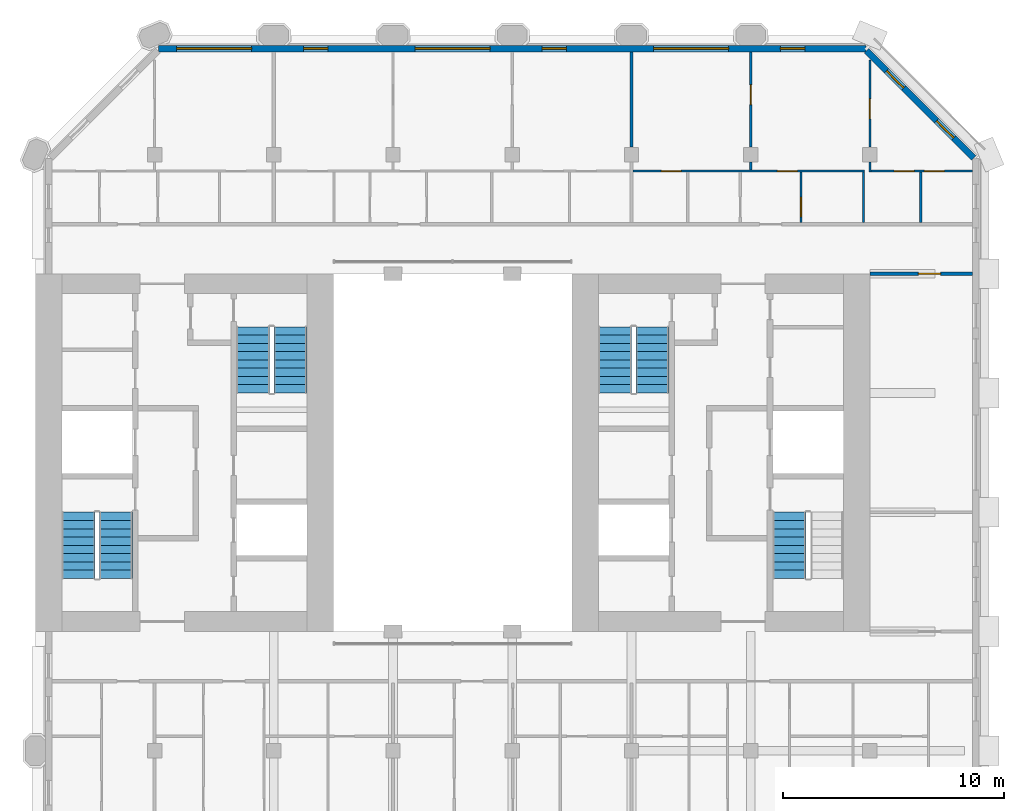
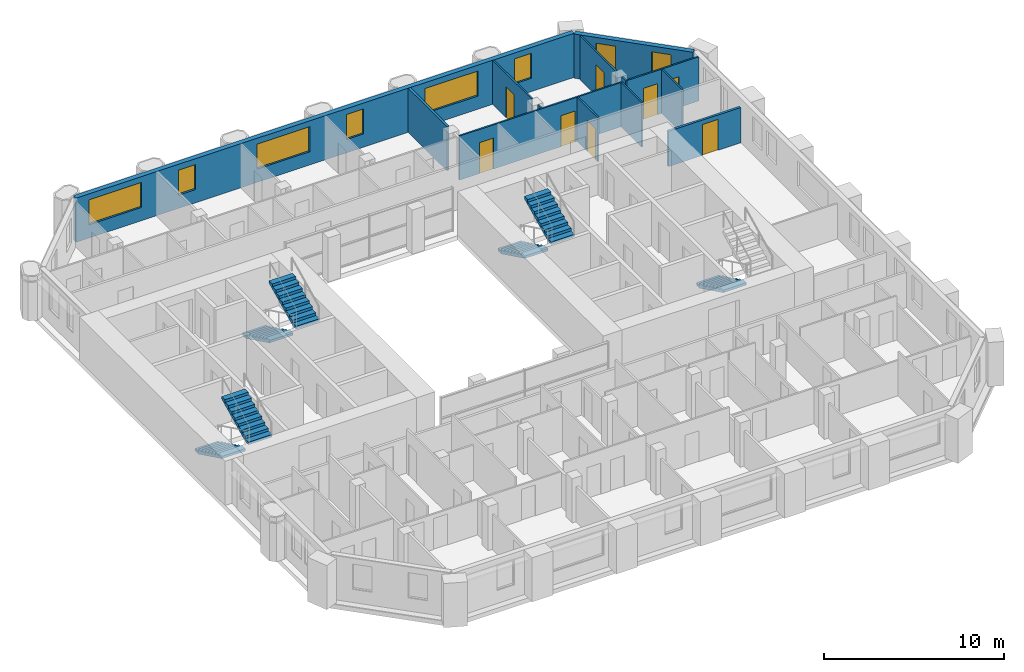
# One storey, part 13 of 16: 13 walls, 8 doors, 8 windows, 7 stair flights, 16 openings, 4 elements without a shape of their own.
"""IFC4 building model written with IfcOpenShell, lengths in metres."""

from ifc_helpers import new_model, si_unit, direction, frame, frame_2d, origin, place, context, subcontext, project, spatial, polyline, rectangle, outline, extrude, material, layer, layer_set, type_object, element, fill, aggregate, save


model = new_model("IFC4")

# Units and contexts
model_context = context("Model", 3, precision=1e-05, world=origin(), true_north=direction((0.0, 1.0)))
body_context = subcontext(model_context, "Body", "Model", "MODEL_VIEW")
ifc_project = project(units=[si_unit("LENGTHUNIT", "METRE"), si_unit("AREAUNIT", "SQUARE_METRE"), si_unit("VOLUMEUNIT", "CUBIC_METRE"), si_unit("PLANEANGLEUNIT", "RADIAN"), si_unit("MASSUNIT", "GRAM", prefix="KILO")], contexts=[model_context])

# Site, building, storey
site_placement = place(None, origin())
site = spatial("IfcSite", under=ifc_project, at=site_placement, CompositionType="ELEMENT")
building_placement = place(site_placement, origin())
building = spatial("IfcBuilding", under=site, at=building_placement, Name="Tabaq Tower and Sports Hall", CompositionType="ELEMENT")
storey_placement = place(building_placement, frame((0.0, 0.0, 268.60009765625)))
storey = spatial("IfcBuildingStorey", under=building, at=storey_placement, Name="L65", CompositionType="ELEMENT", Elevation=268.60009765625)

# Wall
ifc_material_1 = material(Name="Gypsum board on steel studs", Category="steel")
ifc_layer_1 = layer(ifc_material_1, 0.10009765625)
ifc_layer_set_1 = layer_set([ifc_layer_1], Name="Partition 100 Gypsum board")
wall_type_1 = type_object("IfcWallType", Name="Partition 100 Gypsum board", PredefinedType="PARTITIONING", material=ifc_layer_set_1)
wall_1_placement = place(storey_placement, frame((37.800048828125, 37.10009765625, 0.0), z_axis=(0.0, 0.0, 1.0), x_axis=(0.0, 1.0, 0.0)))
element("IfcWall", 1, at=wall_1_placement, inside=storey, type_object=wall_type_1, Name="Partition wall L65", PredefinedType="PARTITIONING", context=body_context, shape_type="SweptSolid", body=[
    extrude(rectangle(XDim=0.35498046875, YDim=0.10009765625, at=frame_2d((0.177490234375, 0.0))), origin(), (0.0, 0.0, 1.0), 3.0),
])

# Wall, opening, door
wall_2_placement = place(storey_placement, frame((37.800048828125, 38.14501953125, 0.0), z_axis=(0.0, 0.0, 1.0), x_axis=(0.0, 1.0, 0.0)))
wall_2 = element("IfcWall", 2, at=wall_2_placement, inside=storey, type_object=wall_type_1, Name="Partition wall L65", PredefinedType="PARTITIONING", context=body_context, shape_type="SweptSolid", body=[
    extrude(rectangle(XDim=4.303955078125, YDim=0.10009765625, at=frame_2d((2.15185546875, 0.0))), origin(), (0.0, 0.0, 1.0), 3.0),
])
opening_1_placement = place(wall_2_placement, frame((1.91796875, 0.0, 0.0)))
opening_1 = element("IfcOpeningElement", 3, at=opening_1_placement, cuts=wall_2, Name="Opening L65-035", PredefinedType="OPENING", context=body_context, shape_type="SweptSolid", body=[
    extrude(rectangle(XDim=0.89990234375, YDim=2.10009765625, at=frame_2d((0.449951171875, 1.050048828125))), frame((0.0, 0.050048828125, 0.0), z_axis=(0.0, -1.0, 0.0), x_axis=(1.0, 0.0, 0.0)), (0.0, 0.0, 1.0), 0.10009765625),
])
ifc_material_2 = material(Name="Timber leaf in steel frame", Category="steel")
door_type_1 = type_object("IfcDoorType", Name="Internal door 900 left hand", OperationType="SINGLE_SWING_LEFT", PredefinedType="DOOR", material=ifc_material_2)
door_1_placement = place(opening_1_placement, origin())
door_1 = element("IfcDoor", 4, at=door_1_placement, inside=storey, type_object=door_type_1, Name="Internal door L65-035", OperationType="SINGLE_SWING_LEFT", OverallHeight=2.10009765625, OverallWidth=0.89990234375, PredefinedType="DOOR", context=body_context, shape_type="SweptSolid", body=[
    extrude(rectangle(XDim=0.89990234375, YDim=2.10009765625, at=frame_2d((0.449951171875, 1.050048828125))), frame((0.0, 0.02490234375, 0.0), z_axis=(0.0, -1.0, 0.0), x_axis=(1.0, 0.0, 0.0)), (0.0, 0.0, 1.0), 0.050048828125),
])
fill(opening_1, door_1)

# Wall, openings, doors
wall_3_placement = place(storey_placement, frame((32.47509765625, 37.050048828125, 0.0), z_axis=(0.0, 0.0, 1.0), x_axis=(1.0, 0.0, 0.0)))
wall_3 = element("IfcWall", 5, at=wall_3_placement, inside=storey, type_object=wall_type_1, Name="Partition wall L65", PredefinedType="PARTITIONING", context=body_context, shape_type="SweptSolid", body=[
    extrude(rectangle(XDim=10.48486328125, YDim=0.10009765625, at=frame_2d((5.242431640625, 0.0))), origin(), (0.0, 0.0, 1.0), 3.0),
])
opening_2_placement = place(wall_3_placement, frame((1.27490234375, 0.0, 0.0)))
opening_2 = element("IfcOpeningElement", 6, at=opening_2_placement, cuts=wall_3, Name="Opening L65-008", PredefinedType="OPENING", context=body_context, shape_type="SweptSolid", body=[
    extrude(rectangle(XDim=0.89990234375, YDim=2.10009765625, at=frame_2d((0.449951171875, 1.050048828125))), frame((0.0, 0.050048828125, 0.0), z_axis=(0.0, -1.0, 0.0), x_axis=(1.0, 0.0, 0.0)), (0.0, 0.0, 1.0), 0.10009765625),
])
opening_3_placement = place(wall_3_placement, frame((6.534912109375, 0.0, 0.0)))
opening_3 = element("IfcOpeningElement", 7, at=opening_3_placement, cuts=wall_3, Name="Opening L65-054", PredefinedType="OPENING", context=body_context, shape_type="SweptSolid", body=[
    extrude(rectangle(XDim=0.89990234375, YDim=2.10009765625, at=frame_2d((0.449951171875, 1.050048828125))), frame((0.0, 0.050048828125, 0.0), z_axis=(0.0, -1.0, 0.0), x_axis=(1.0, 0.0, 0.0)), (0.0, 0.0, 1.0), 0.10009765625),
])
door_2_placement = place(opening_2_placement, origin())
door_2 = element("IfcDoor", 8, at=door_2_placement, inside=storey, type_object=door_type_1, Name="Internal door L65-008", OperationType="SINGLE_SWING_LEFT", OverallHeight=2.10009765625, OverallWidth=0.89990234375, PredefinedType="DOOR", context=body_context, shape_type="SweptSolid", body=[
    extrude(rectangle(XDim=0.89990234375, YDim=2.10009765625, at=frame_2d((0.449951171875, 1.050048828125))), frame((0.0, 0.02490234375, 0.0), z_axis=(0.0, -1.0, 0.0), x_axis=(1.0, 0.0, 0.0)), (0.0, 0.0, 1.0), 0.050048828125),
])
fill(opening_2, door_2)
door_3_placement = place(opening_3_placement, origin())
door_3 = element("IfcDoor", 9, at=door_3_placement, inside=storey, type_object=door_type_1, Name="Internal door L65-054", OperationType="SINGLE_SWING_LEFT", OverallHeight=2.10009765625, OverallWidth=0.89990234375, PredefinedType="DOOR", context=body_context, shape_type="SweptSolid", body=[
    extrude(rectangle(XDim=0.89990234375, YDim=2.10009765625, at=frame_2d((0.449951171875, 1.050048828125))), frame((0.0, 0.02490234375, 0.0), z_axis=(0.0, -1.0, 0.0), x_axis=(1.0, 0.0, 0.0)), (0.0, 0.0, 1.0), 0.050048828125),
])
fill(opening_3, door_3)

# Wall
wall_4_placement = place(storey_placement, frame((43.199951171875, 37.0, 0.0), z_axis=(0.0, 0.0, 1.0), x_axis=(0.0, 1.0, 0.0)))
element("IfcWall", 10, at=wall_4_placement, inside=storey, type_object=wall_type_1, Name="Partition wall L65", PredefinedType="PARTITIONING", context=body_context, shape_type="SweptSolid", body=[
    extrude(rectangle(XDim=0.455078125, YDim=0.10009765625, at=frame_2d((0.2275390625, 0.0))), origin(), (0.0, 0.0, 1.0), 3.0),
])

# Wall, opening, door
wall_5_placement = place(storey_placement, frame((43.199951171875, 38.14501953125, 0.0), z_axis=(0.0, 0.0, 1.0), x_axis=(0.0, 1.0, 0.0)))
wall_5 = element("IfcWall", 11, at=wall_5_placement, inside=storey, type_object=wall_type_1, Name="Partition wall L65", PredefinedType="PARTITIONING", context=body_context, shape_type="SweptSolid", body=[
    extrude(rectangle(XDim=3.94287109375, YDim=0.10009765625, at=frame_2d((1.971435546875, 0.0))), origin(), (0.0, 0.0, 1.0), 3.0),
])
opening_4_placement = place(wall_5_placement, frame((1.273681640625, 0.0, 0.0)))
opening_4 = element("IfcOpeningElement", 12, at=opening_4_placement, cuts=wall_5, Name="Opening L65-053", PredefinedType="OPENING", context=body_context, shape_type="SweptSolid", body=[
    extrude(rectangle(XDim=0.89990234375, YDim=2.10009765625, at=frame_2d((0.449951171875, 1.050048828125))), frame((0.0, 0.050048828125, 0.0), z_axis=(0.0, -1.0, 0.0), x_axis=(1.0, 0.0, 0.0)), (0.0, 0.0, 1.0), 0.10009765625),
])
ifc_material_3 = material(Name="Timber leaf in steel frame", Category="steel")
door_type_2 = type_object("IfcDoorType", Name="Internal door 900 right hand", OperationType="SINGLE_SWING_RIGHT", PredefinedType="DOOR", material=ifc_material_3)
door_4_placement = place(opening_4_placement, origin())
door_4 = element("IfcDoor", 13, at=door_4_placement, inside=storey, type_object=door_type_2, Name="Internal door L65-053", OperationType="SINGLE_SWING_RIGHT", OverallHeight=2.10009765625, OverallWidth=0.89990234375, PredefinedType="DOOR", context=body_context, shape_type="SweptSolid", body=[
    extrude(rectangle(XDim=0.89990234375, YDim=2.10009765625, at=frame_2d((0.449951171875, 1.050048828125))), frame((0.0, 0.02490234375, 0.0), z_axis=(0.0, -1.0, 0.0), x_axis=(1.0, 0.0, 0.0)), (0.0, 0.0, 1.0), 0.050048828125),
])
fill(opening_4, door_4)

# Wall, openings, doors
wall_6_placement = place(storey_placement, frame((43.25, 37.050048828125, 0.0), z_axis=(0.0, 0.0, 1.0), x_axis=(1.0, 0.0, 0.0)))
wall_6 = element("IfcWall", 14, at=wall_6_placement, inside=storey, type_object=wall_type_1, Name="Partition wall L65", PredefinedType="PARTITIONING", context=body_context, shape_type="SweptSolid", body=[
    extrude(rectangle(XDim=4.59912109375, YDim=0.10009765625, at=frame_2d((2.299560546875, 0.0))), origin(), (0.0, 0.0, 1.0), 3.0),
])
opening_5_placement = place(wall_6_placement, frame((1.050048828125, 0.0, 0.0)))
opening_5 = element("IfcOpeningElement", 15, at=opening_5_placement, cuts=wall_6, Name="Opening L65-009", PredefinedType="OPENING", context=body_context, shape_type="SweptSolid", body=[
    extrude(rectangle(XDim=0.89990234375, YDim=2.10009765625, at=frame_2d((0.449951171875, 1.050048828125))), frame((0.0, 0.050048828125, 0.0), z_axis=(0.0, -1.0, 0.0), x_axis=(1.0, 0.0, 0.0)), (0.0, 0.0, 1.0), 0.10009765625),
])
opening_6_placement = place(wall_6_placement, frame((2.419921875, 0.0, 0.0)))
opening_6 = element("IfcOpeningElement", 16, at=opening_6_placement, cuts=wall_6, Name="Opening L65-010", PredefinedType="OPENING", context=body_context, shape_type="SweptSolid", body=[
    extrude(rectangle(XDim=0.89990234375, YDim=2.10009765625, at=frame_2d((0.449951171875, 1.050048828125))), frame((0.0, 0.050048828125, 0.0), z_axis=(0.0, -1.0, 0.0), x_axis=(1.0, 0.0, 0.0)), (0.0, 0.0, 1.0), 0.10009765625),
])
door_5_placement = place(opening_6_placement, origin())
door_5 = element("IfcDoor", 17, at=door_5_placement, inside=storey, type_object=door_type_1, Name="Internal door L65-010", OperationType="SINGLE_SWING_LEFT", OverallHeight=2.10009765625, OverallWidth=0.89990234375, PredefinedType="DOOR", context=body_context, shape_type="SweptSolid", body=[
    extrude(rectangle(XDim=0.89990234375, YDim=2.10009765625, at=frame_2d((0.449951171875, 1.050048828125))), frame((0.0, 0.02490234375, 0.0), z_axis=(0.0, -1.0, 0.0), x_axis=(1.0, 0.0, 0.0)), (0.0, 0.0, 1.0), 0.050048828125),
])
fill(opening_6, door_5)
door_6_placement = place(opening_5_placement, origin())
door_6 = element("IfcDoor", 18, at=door_6_placement, inside=storey, type_object=door_type_2, Name="Internal door L65-009", OperationType="SINGLE_SWING_RIGHT", OverallHeight=2.10009765625, OverallWidth=0.89990234375, PredefinedType="DOOR", context=body_context, shape_type="SweptSolid", body=[
    extrude(rectangle(XDim=0.89990234375, YDim=2.10009765625, at=frame_2d((0.449951171875, 1.050048828125))), frame((0.0, 0.02490234375, 0.0), z_axis=(0.0, -1.0, 0.0), x_axis=(1.0, 0.0, 0.0)), (0.0, 0.0, 1.0), 0.050048828125),
])
fill(opening_5, door_6)

# Wall, opening, door
wall_7_placement = place(storey_placement, frame((40.080078125, 34.72509765625, 0.0), z_axis=(0.0, 0.0, 1.0), x_axis=(0.0, 1.0, 0.0)))
wall_7 = element("IfcWall", 19, at=wall_7_placement, inside=storey, type_object=wall_type_1, Name="Partition wall L65", PredefinedType="PARTITIONING", context=body_context, shape_type="SweptSolid", body=[
    extrude(rectangle(XDim=2.27490234375, YDim=0.10009765625, at=frame_2d((1.137451171875, 0.0))), origin(), (0.0, 0.0, 1.0), 3.0),
])
opening_7_placement = place(wall_7_placement, frame((0.25, 0.0, 0.0)))
opening_7 = element("IfcOpeningElement", 20, at=opening_7_placement, cuts=wall_7, Name="Opening L65-012", PredefinedType="OPENING", context=body_context, shape_type="SweptSolid", body=[
    extrude(rectangle(XDim=0.89990234375, YDim=2.10009765625, at=frame_2d((0.449951171875, 1.050048828125))), frame((0.0, 0.050048828125, 0.0), z_axis=(0.0, -1.0, 0.0), x_axis=(1.0, 0.0, 0.0)), (0.0, 0.0, 1.0), 0.10009765625),
])
door_7_placement = place(opening_7_placement, origin())
door_7 = element("IfcDoor", 21, at=door_7_placement, inside=storey, type_object=door_type_2, Name="Internal door L65-012", OperationType="SINGLE_SWING_RIGHT", OverallHeight=2.10009765625, OverallWidth=0.89990234375, PredefinedType="DOOR", context=body_context, shape_type="SweptSolid", body=[
    extrude(rectangle(XDim=0.89990234375, YDim=2.10009765625, at=frame_2d((0.449951171875, 1.050048828125))), frame((0.0, 0.02490234375, 0.0), z_axis=(0.0, -1.0, 0.0), x_axis=(1.0, 0.0, 0.0)), (0.0, 0.0, 1.0), 0.050048828125),
])
fill(opening_7, door_7)

# Walls
for number, where, z_axis, x_axis, name in (
    (22, (42.909912109375, 34.72509765625, 0.0), (0.0, 0.0, 1.0), (0.0, 1.0, 0.0), "Partition wall L65"),
    (23, (45.5, 34.72509765625, 0.0), (0.0, 0.0, 1.0), (0.0, 1.0, 0.0), "Partition wall L65"),
):
    element("IfcWall", number, at=place(storey_placement, frame(where, z_axis=z_axis, x_axis=x_axis)), inside=storey, type_object=wall_type_1, Name=name, PredefinedType="PARTITIONING", context=body_context, shape_type="SweptSolid", body=[
        extrude(rectangle(XDim=2.27490234375, YDim=0.10009765625, at=frame_2d((1.137451171875, 0.0))), origin(), (0.0, 0.0, 1.0), 3.0),
    ])
ifc_material_4 = material(Name="Blockwork", Category="masonry")
ifc_layer_2 = layer(ifc_material_4, 0.14990234375)
ifc_layer_set_2 = layer_set([ifc_layer_2], Name="Separating wall 150 Blockwork")
wall_type_2 = type_object("IfcWallType", Name="Separating wall 150 Blockwork", PredefinedType="PARTITIONING", material=ifc_layer_set_2)
wall_8_placement = place(storey_placement, frame((32.39990234375, 38.14501953125, 0.0), z_axis=(0.0, 0.0, 1.0), x_axis=(0.0, 1.0, 0.0)))
element("IfcWall", 24, at=wall_8_placement, inside=storey, type_object=wall_type_2, Name="Separating wall L65", PredefinedType="PARTITIONING", context=body_context, shape_type="SweptSolid", body=[
    extrude(rectangle(XDim=4.303955078125, YDim=0.14990234375, at=frame_2d((2.15185546875, 0.0))), origin(), (0.0, 0.0, 1.0), 3.0),
])

# Wall, opening, door
wall_9_placement = place(storey_placement, frame((47.84912109375, 32.39990234375, 0.0), z_axis=(0.0, 0.0, 1.0), x_axis=(-1.0, 0.0, 0.0)))
wall_9 = element("IfcWall", 25, at=wall_9_placement, inside=storey, type_object=wall_type_2, Name="Separating wall L65", PredefinedType="PARTITIONING", context=body_context, shape_type="SweptSolid", body=[
    extrude(rectangle(XDim=4.649169921875, YDim=0.14990234375, at=frame_2d((2.32470703125, 0.0))), origin(), (0.0, 0.0, 1.0), 2.39990234375),
])
opening_8_placement = place(wall_9_placement, frame((1.448974609375, 0.0, 0.0)))
opening_8 = element("IfcOpeningElement", 26, at=opening_8_placement, cuts=wall_9, Name="Opening L65-013", PredefinedType="OPENING", context=body_context, shape_type="SweptSolid", body=[
    extrude(rectangle(XDim=1.0, YDim=2.10009765625, at=frame_2d((0.5, 1.050048828125))), frame((0.0, 0.074951171875, 0.0), z_axis=(0.0, -1.0, 0.0), x_axis=(1.0, 0.0, 0.0)), (0.0, 0.0, 1.0), 0.14990234375),
])
ifc_material_5 = material(Name="Timber leaf in steel frame", Category="steel")
door_type_3 = type_object("IfcDoorType", Name="Internal door 1000 right hand", OperationType="SINGLE_SWING_RIGHT", PredefinedType="DOOR", material=ifc_material_5)
door_8_placement = place(opening_8_placement, origin())
door_8 = element("IfcDoor", 27, at=door_8_placement, inside=storey, type_object=door_type_3, Name="Internal door L65-013", OperationType="SINGLE_SWING_RIGHT", OverallHeight=2.10009765625, OverallWidth=1.0, PredefinedType="DOOR", context=body_context, shape_type="SweptSolid", body=[
    extrude(rectangle(XDim=1.0, YDim=2.10009765625, at=frame_2d((0.5, 1.050048828125))), frame((0.0, 0.02490234375, 0.0), z_axis=(0.0, -1.0, 0.0), x_axis=(1.0, 0.0, 0.0)), (0.0, 0.0, 1.0), 0.050048828125),
])
fill(opening_8, door_8)

# Wall, openings, windows
ifc_material_6 = material(Name="White precast concrete C60/75", Category="concrete")
ifc_layer_3 = layer(ifc_material_6, 0.300048828125)
ifc_layer_set_3 = layer_set([ifc_layer_3], Name="White precast concrete C60/75 external wall 300")
wall_type_3 = type_object("IfcWallType", Name="White precast concrete C60/75 external wall 300", PredefinedType="SOLIDWALL", material=ifc_layer_set_3)
wall_10_placement = place(storey_placement, frame((47.901123046875, 37.650390625, 0.0), z_axis=(0.0, 0.0, 1.0), x_axis=(-0.707106781187, 0.707106781187, 0.0)))
wall_10 = element("IfcWall", 28, at=wall_10_placement, inside=storey, type_object=wall_type_3, Name="External Wall L65 NE", PredefinedType="SOLIDWALL", context=body_context, shape_type="SweptSolid", body=[
    extrude(rectangle(XDim=6.85986328125, YDim=0.300048828125, at=frame_2d((3.429931640625, 0.0))), origin(), (0.0, 0.0, 1.0), 3.0),
])
opening_9_placement = place(wall_10_placement, frame((1.27978515625, 0.0, 0.89990234375)))
opening_9 = element("IfcOpeningElement", 29, at=opening_9_placement, cuts=wall_10, Name="Opening W1B", PredefinedType="OPENING", context=body_context, shape_type="SweptSolid", body=[
    extrude(rectangle(XDim=1.10009765625, YDim=1.699951171875, at=frame_2d((0.550048828125, 0.85009765625))), frame((0.0, 0.16015625, 0.0), z_axis=(0.0, -1.0, 0.0), x_axis=(1.0, 0.0, 0.0)), (0.0, 0.0, 1.0), 0.320068359375),
])
opening_10_placement = place(wall_10_placement, frame((4.479736328125, 0.0, 0.89990234375)))
opening_10 = element("IfcOpeningElement", 30, at=opening_10_placement, cuts=wall_10, Name="Opening W1B", PredefinedType="OPENING", context=body_context, shape_type="SweptSolid", body=[
    extrude(rectangle(XDim=1.10009765625, YDim=1.699951171875, at=frame_2d((0.550048828125, 0.85009765625))), frame((0.0, 0.16015625, 0.0), z_axis=(0.0, -1.0, 0.0), x_axis=(1.0, 0.0, 0.0)), (0.0, 0.0, 1.0), 0.320068359375),
])
ifc_material_7 = material(Name="Aluminium framed clear glazing", Category="aluminium")
window_type_1 = type_object("IfcWindowType", Name="Window W1B", PartitioningType="SINGLE_PANEL", PredefinedType="WINDOW", material=ifc_material_7)
window_1_placement = place(opening_9_placement, origin())
window_1 = element("IfcWindow", 31, at=window_1_placement, inside=storey, type_object=window_type_1, Name="Window W1B L65", OverallHeight=1.699951171875, OverallWidth=1.10009765625, PartitioningType="SINGLE_PANEL", PredefinedType="WINDOW", context=body_context, shape_type="SweptSolid", body=[
    extrude(rectangle(XDim=1.10009765625, YDim=1.699951171875, at=frame_2d((0.550048828125, 0.85009765625))), frame((0.0, 0.030029296875, 0.0), z_axis=(0.0, -1.0, 0.0), x_axis=(1.0, 0.0, 0.0)), (0.0, 0.0, 1.0), 0.06005859375),
])
fill(opening_9, window_1)
window_2_placement = place(opening_10_placement, origin())
window_2 = element("IfcWindow", 32, at=window_2_placement, inside=storey, type_object=window_type_1, Name="Window W1B L65", OverallHeight=1.699951171875, OverallWidth=1.10009765625, PartitioningType="SINGLE_PANEL", PredefinedType="WINDOW", context=body_context, shape_type="SweptSolid", body=[
    extrude(rectangle(XDim=1.10009765625, YDim=1.699951171875, at=frame_2d((0.550048828125, 0.85009765625))), frame((0.0, 0.030029296875, 0.0), z_axis=(0.0, -1.0, 0.0), x_axis=(1.0, 0.0, 0.0)), (0.0, 0.0, 1.0), 0.06005859375),
])
fill(opening_10, window_2)

wall_11_placement = place(storey_placement, frame((43.013671875, 42.60009765625, 0.0), z_axis=(0.0, 0.0, 1.0), x_axis=(-1.0, 0.0, 0.0)))
wall_11 = element("IfcWall", 33, at=wall_11_placement, inside=storey, type_object=wall_type_3, Name="External Wall L65 N", PredefinedType="SOLIDWALL", context=body_context, shape_type="SweptSolid", body=[
    extrude(rectangle(XDim=32.02734375, YDim=0.300048828125, at=frame_2d((16.013671875, 0.0))), origin(), (0.0, 0.0, 1.0), 3.0),
])
opening_11_placement = place(wall_11_placement, frame((2.763671875, 0.0, 0.89990234375)))
opening_11 = element("IfcOpeningElement", 34, at=opening_11_placement, cuts=wall_11, Name="Opening W1B", PredefinedType="OPENING", context=body_context, shape_type="SweptSolid", body=[
    extrude(rectangle(XDim=1.10009765625, YDim=1.699951171875, at=frame_2d((0.550048828125, 0.85009765625))), frame((0.0, 0.16015625, 0.0), z_axis=(0.0, -1.0, 0.0), x_axis=(1.0, 0.0, 0.0)), (0.0, 0.0, 1.0), 0.320068359375),
])
opening_12_placement = place(wall_11_placement, frame((6.213623046875, 0.0, 0.89990234375)))
opening_12 = element("IfcOpeningElement", 35, at=opening_12_placement, cuts=wall_11, Name="Opening W1A", PredefinedType="OPENING", context=body_context, shape_type="SweptSolid", body=[
    extrude(rectangle(XDim=3.39990234375, YDim=1.699951171875, at=frame_2d((1.699951171875, 0.85009765625))), frame((0.0, 0.16015625, 0.0), z_axis=(0.0, -1.0, 0.0), x_axis=(1.0, 0.0, 0.0)), (0.0, 0.0, 1.0), 0.320068359375),
])
opening_13_placement = place(wall_11_placement, frame((13.563720703125, 0.0, 0.89990234375)))
opening_13 = element("IfcOpeningElement", 36, at=opening_13_placement, cuts=wall_11, Name="Opening W1B", PredefinedType="OPENING", context=body_context, shape_type="SweptSolid", body=[
    extrude(rectangle(XDim=1.10009765625, YDim=1.699951171875, at=frame_2d((0.550048828125, 0.85009765625))), frame((0.0, 0.16015625, 0.0), z_axis=(0.0, -1.0, 0.0), x_axis=(1.0, 0.0, 0.0)), (0.0, 0.0, 1.0), 0.320068359375),
])
opening_14_placement = place(wall_11_placement, frame((17.013671875, 0.0, 0.89990234375)))
opening_14 = element("IfcOpeningElement", 37, at=opening_14_placement, cuts=wall_11, Name="Opening W1A", PredefinedType="OPENING", context=body_context, shape_type="SweptSolid", body=[
    extrude(rectangle(XDim=3.39990234375, YDim=1.699951171875, at=frame_2d((1.699951171875, 0.85009765625))), frame((0.0, 0.16015625, 0.0), z_axis=(0.0, -1.0, 0.0), x_axis=(1.0, 0.0, 0.0)), (0.0, 0.0, 1.0), 0.320068359375),
])
opening_15_placement = place(wall_11_placement, frame((24.363525390625, 0.0, 0.89990234375)))
opening_15 = element("IfcOpeningElement", 38, at=opening_15_placement, cuts=wall_11, Name="Opening W1B", PredefinedType="OPENING", context=body_context, shape_type="SweptSolid", body=[
    extrude(rectangle(XDim=1.10009765625, YDim=1.699951171875, at=frame_2d((0.550048828125, 0.85009765625))), frame((0.0, 0.16015625, 0.0), z_axis=(0.0, -1.0, 0.0), x_axis=(1.0, 0.0, 0.0)), (0.0, 0.0, 1.0), 0.320068359375),
])
opening_16_placement = place(wall_11_placement, frame((27.813720703125, 0.0, 0.89990234375)))
opening_16 = element("IfcOpeningElement", 39, at=opening_16_placement, cuts=wall_11, Name="Opening W1A", PredefinedType="OPENING", context=body_context, shape_type="SweptSolid", body=[
    extrude(rectangle(XDim=3.39990234375, YDim=1.699951171875, at=frame_2d((1.699951171875, 0.85009765625))), frame((0.0, 0.16015625, 0.0), z_axis=(0.0, -1.0, 0.0), x_axis=(1.0, 0.0, 0.0)), (0.0, 0.0, 1.0), 0.320068359375),
])
ifc_material_8 = material(Name="Aluminium framed clear glazing", Category="aluminium")
window_type_2 = type_object("IfcWindowType", Name="Window W1A", PartitioningType="SINGLE_PANEL", PredefinedType="WINDOW", material=ifc_material_8)
window_3_placement = place(opening_12_placement, origin())
window_3 = element("IfcWindow", 40, at=window_3_placement, inside=storey, type_object=window_type_2, Name="Window W1A L65", OverallHeight=1.699951171875, OverallWidth=3.39990234375, PartitioningType="SINGLE_PANEL", PredefinedType="WINDOW", context=body_context, shape_type="SweptSolid", body=[
    extrude(rectangle(XDim=3.39990234375, YDim=1.699951171875, at=frame_2d((1.699951171875, 0.85009765625))), frame((0.0, 0.030029296875, 0.0), z_axis=(0.0, -1.0, 0.0), x_axis=(1.0, 0.0, 0.0)), (0.0, 0.0, 1.0), 0.06005859375),
])
fill(opening_12, window_3)
window_4_placement = place(opening_14_placement, origin())
window_4 = element("IfcWindow", 41, at=window_4_placement, inside=storey, type_object=window_type_2, Name="Window W1A L65", OverallHeight=1.699951171875, OverallWidth=3.39990234375, PartitioningType="SINGLE_PANEL", PredefinedType="WINDOW", context=body_context, shape_type="SweptSolid", body=[
    extrude(rectangle(XDim=3.39990234375, YDim=1.699951171875, at=frame_2d((1.699951171875, 0.85009765625))), frame((0.0, 0.030029296875, 0.0), z_axis=(0.0, -1.0, 0.0), x_axis=(1.0, 0.0, 0.0)), (0.0, 0.0, 1.0), 0.06005859375),
])
fill(opening_14, window_4)
window_5_placement = place(opening_16_placement, origin())
window_5 = element("IfcWindow", 42, at=window_5_placement, inside=storey, type_object=window_type_2, Name="Window W1A L65", OverallHeight=1.699951171875, OverallWidth=3.39990234375, PartitioningType="SINGLE_PANEL", PredefinedType="WINDOW", context=body_context, shape_type="SweptSolid", body=[
    extrude(rectangle(XDim=3.39990234375, YDim=1.699951171875, at=frame_2d((1.699951171875, 0.85009765625))), frame((0.0, 0.030029296875, 0.0), z_axis=(0.0, -1.0, 0.0), x_axis=(1.0, 0.0, 0.0)), (0.0, 0.0, 1.0), 0.06005859375),
])
fill(opening_16, window_5)
window_6_placement = place(opening_11_placement, origin())
window_6 = element("IfcWindow", 43, at=window_6_placement, inside=storey, type_object=window_type_1, Name="Window W1B L65", OverallHeight=1.699951171875, OverallWidth=1.10009765625, PartitioningType="SINGLE_PANEL", PredefinedType="WINDOW", context=body_context, shape_type="SweptSolid", body=[
    extrude(rectangle(XDim=1.10009765625, YDim=1.699951171875, at=frame_2d((0.550048828125, 0.85009765625))), frame((0.0, 0.030029296875, 0.0), z_axis=(0.0, -1.0, 0.0), x_axis=(1.0, 0.0, 0.0)), (0.0, 0.0, 1.0), 0.06005859375),
])
fill(opening_11, window_6)
window_7_placement = place(opening_13_placement, origin())
window_7 = element("IfcWindow", 44, at=window_7_placement, inside=storey, type_object=window_type_1, Name="Window W1B L65", OverallHeight=1.699951171875, OverallWidth=1.10009765625, PartitioningType="SINGLE_PANEL", PredefinedType="WINDOW", context=body_context, shape_type="SweptSolid", body=[
    extrude(rectangle(XDim=1.10009765625, YDim=1.699951171875, at=frame_2d((0.550048828125, 0.85009765625))), frame((0.0, 0.030029296875, 0.0), z_axis=(0.0, -1.0, 0.0), x_axis=(1.0, 0.0, 0.0)), (0.0, 0.0, 1.0), 0.06005859375),
])
fill(opening_13, window_7)
window_8_placement = place(opening_15_placement, origin())
window_8 = element("IfcWindow", 45, at=window_8_placement, inside=storey, type_object=window_type_1, Name="Window W1B L65", OverallHeight=1.699951171875, OverallWidth=1.10009765625, PartitioningType="SINGLE_PANEL", PredefinedType="WINDOW", context=body_context, shape_type="SweptSolid", body=[
    extrude(rectangle(XDim=1.10009765625, YDim=1.699951171875, at=frame_2d((0.550048828125, 0.85009765625))), frame((0.0, 0.030029296875, 0.0), z_axis=(0.0, -1.0, 0.0), x_axis=(1.0, 0.0, 0.0)), (0.0, 0.0, 1.0), 0.06005859375),
])
fill(opening_15, window_8)

# Stair, stair flights
ifc_material_9 = material(Name="Concrete C40/50", Category="concrete")
stair_type = type_object("IfcStairType", Name="Exit stair", PredefinedType="HALF_TURN_STAIR", material=ifc_material_9)
stair_1_placement = place(storey_placement, origin())
stair_1 = element("IfcStair", 46, at=stair_1_placement, inside=storey, type_object=stair_type, Name="L65 Exit stair ST1", PredefinedType="HALF_TURN_STAIR")
ifc_material_10 = material(Name="Concrete C40/50", Category="concrete")
stair_flight_type = type_object("IfcStairFlightType", Name="Exit stair flight", PredefinedType="STRAIGHT", material=ifc_material_10)
stair_flight_1_placement = place(storey_placement, frame((7.35009765625, 21.60009765625, 0.0), z_axis=(0.0, 0.0, 1.0), x_axis=(0.0, -1.0, 0.0)))
stair_flight_1 = element("IfcStairFlight", 47, at=stair_flight_1_placement, type_object=stair_flight_type, Name="ST1 flight 1", NumberOfRisers=9, NumberOfTreads=8, PredefinedType="STRAIGHT", RiserHeight=0.183333333, TreadLength=0.375, context=body_context, shape_type="SweptSolid", body=[
    extrude(outline(polyline([(0.0, 0.0), (0.0, 0.183349609375), (0.375, 0.183349609375), (0.375, 0.36669921875), (0.75, 0.36669921875), (0.75, 0.550048828125), (1.125, 0.550048828125), (1.125, 0.7333984375), (1.5, 0.7333984375), (1.5, 0.916748046875), (1.875, 0.916748046875), (1.875, 1.10009765625), (2.25, 1.10009765625), (2.25, 1.283447265625), (2.625, 1.283447265625), (2.625, 1.466552734375), (3.0, 1.466552734375), (3.0, 1.64990234375), (3.0, 1.2998046875), (0.34130859375, 0.0), (0.0, 0.0)])), frame((0.0, 0.75, 0.0), z_axis=(0.0, -1.0, 0.0), x_axis=(1.0, 0.0, 0.0)), (0.0, 0.0, 1.0), 1.5),
])
stair_flight_2_placement = place(storey_placement, frame((9.050048828125, 18.60009765625, 1.64990234375), z_axis=(0.0, 0.0, 1.0), x_axis=(0.0, 1.0, 0.0)))
stair_flight_2 = element("IfcStairFlight", 48, at=stair_flight_2_placement, type_object=stair_flight_type, Name="ST1 flight 2", NumberOfRisers=9, NumberOfTreads=8, PredefinedType="STRAIGHT", RiserHeight=0.183333333, TreadLength=0.375, context=body_context, shape_type="SweptSolid", body=[
    extrude(outline(polyline([(0.0, 0.0), (0.0, 0.183349609375), (0.375, 0.183349609375), (0.375, 0.36669921875), (0.75, 0.36669921875), (0.75, 0.550048828125), (1.125, 0.550048828125), (1.125, 0.7333984375), (1.5, 0.7333984375), (1.5, 0.916748046875), (1.875, 0.916748046875), (1.875, 1.10009765625), (2.25, 1.10009765625), (2.25, 1.283447265625), (2.625, 1.283447265625), (2.625, 1.466552734375), (3.0, 1.466552734375), (3.0, 1.64990234375), (3.0, 1.2998046875), (0.34130859375, 0.0), (0.0, 0.0)])), frame((0.0, 0.75, 0.0), z_axis=(0.0, -1.0, 0.0), x_axis=(1.0, 0.0, 0.0)), (0.0, 0.0, 1.0), 1.5),
])
aggregate(stair_1, [stair_flight_1, stair_flight_2])

stair_2_placement = place(storey_placement, origin())
stair_2 = element("IfcStair", 49, at=stair_2_placement, inside=storey, type_object=stair_type, Name="L65 Exit stair ST2", PredefinedType="HALF_TURN_STAIR")
stair_flight_3_placement = place(storey_placement, frame((15.25, 30.0, 0.0), z_axis=(0.0, 0.0, 1.0), x_axis=(0.0, -1.0, 0.0)))
stair_flight_3 = element("IfcStairFlight", 50, at=stair_flight_3_placement, type_object=stair_flight_type, Name="ST2 flight 1", NumberOfRisers=9, NumberOfTreads=8, PredefinedType="STRAIGHT", RiserHeight=0.183333333, TreadLength=0.375, context=body_context, shape_type="SweptSolid", body=[
    extrude(outline(polyline([(0.0, 0.0), (0.0, 0.183349609375), (0.375, 0.183349609375), (0.375, 0.36669921875), (0.75, 0.36669921875), (0.75, 0.550048828125), (1.125, 0.550048828125), (1.125, 0.7333984375), (1.5, 0.7333984375), (1.5, 0.916748046875), (1.875, 0.916748046875), (1.875, 1.10009765625), (2.25, 1.10009765625), (2.25, 1.283447265625), (2.625, 1.283447265625), (2.625, 1.466552734375), (3.0, 1.466552734375), (3.0, 1.64990234375), (3.0, 1.2998046875), (0.34130859375, 0.0), (0.0, 0.0)])), frame((0.0, 0.75, 0.0), z_axis=(0.0, -1.0, 0.0), x_axis=(1.0, 0.0, 0.0)), (0.0, 0.0, 1.0), 1.5),
])
stair_flight_4_placement = place(storey_placement, frame((16.949951171875, 27.0, 1.64990234375), z_axis=(0.0, 0.0, 1.0), x_axis=(0.0, 1.0, 0.0)))
stair_flight_4 = element("IfcStairFlight", 51, at=stair_flight_4_placement, type_object=stair_flight_type, Name="ST2 flight 2", NumberOfRisers=9, NumberOfTreads=8, PredefinedType="STRAIGHT", RiserHeight=0.183333333, TreadLength=0.375, context=body_context, shape_type="SweptSolid", body=[
    extrude(outline(polyline([(0.0, 0.0), (0.0, 0.183349609375), (0.375, 0.183349609375), (0.375, 0.36669921875), (0.75, 0.36669921875), (0.75, 0.550048828125), (1.125, 0.550048828125), (1.125, 0.7333984375), (1.5, 0.7333984375), (1.5, 0.916748046875), (1.875, 0.916748046875), (1.875, 1.10009765625), (2.25, 1.10009765625), (2.25, 1.283447265625), (2.625, 1.283447265625), (2.625, 1.466552734375), (3.0, 1.466552734375), (3.0, 1.64990234375), (3.0, 1.2998046875), (0.34130859375, 0.0), (0.0, 0.0)])), frame((0.0, 0.75, 0.0), z_axis=(0.0, -1.0, 0.0), x_axis=(1.0, 0.0, 0.0)), (0.0, 0.0, 1.0), 1.5),
])
aggregate(stair_2, [stair_flight_3, stair_flight_4])

# Stair, stair flight
stair_3_placement = place(storey_placement, origin())
stair_3 = element("IfcStair", 52, at=stair_3_placement, inside=storey, type_object=stair_type, Name="L65 Exit stair ST3", PredefinedType="HALF_TURN_STAIR")
stair_flight_5_placement = place(storey_placement, frame((39.550048828125, 21.60009765625, 0.0), z_axis=(0.0, 0.0, 1.0), x_axis=(0.0, -1.0, 0.0)))
stair_flight_5 = element("IfcStairFlight", 53, at=stair_flight_5_placement, type_object=stair_flight_type, Name="ST3 flight 1", NumberOfRisers=9, NumberOfTreads=8, PredefinedType="STRAIGHT", RiserHeight=0.183333333, TreadLength=0.375, context=body_context, shape_type="SweptSolid", body=[
    extrude(outline(polyline([(0.0, 0.0), (0.0, 0.183349609375), (0.375, 0.183349609375), (0.375, 0.36669921875), (0.75, 0.36669921875), (0.75, 0.550048828125), (1.125, 0.550048828125), (1.125, 0.7333984375), (1.5, 0.7333984375), (1.5, 0.916748046875), (1.875, 0.916748046875), (1.875, 1.10009765625), (2.25, 1.10009765625), (2.25, 1.283447265625), (2.625, 1.283447265625), (2.625, 1.466552734375), (3.0, 1.466552734375), (3.0, 1.64990234375), (3.0, 1.2998046875), (0.34130859375, 0.0), (0.0, 0.0)])), frame((0.0, 0.75, 0.0), z_axis=(0.0, -1.0, 0.0), x_axis=(1.0, 0.0, 0.0)), (0.0, 0.0, 1.0), 1.5),
])
aggregate(stair_3, [stair_flight_5])

# Stair, stair flights
stair_4_placement = place(storey_placement, origin())
stair_4 = element("IfcStair", 54, at=stair_4_placement, inside=storey, type_object=stair_type, Name="L65 Exit stair ST4", PredefinedType="HALF_TURN_STAIR")
stair_flight_6_placement = place(storey_placement, frame((31.64990234375, 30.0, 0.0), z_axis=(0.0, 0.0, 1.0), x_axis=(0.0, -1.0, 0.0)))
stair_flight_6 = element("IfcStairFlight", 55, at=stair_flight_6_placement, type_object=stair_flight_type, Name="ST4 flight 1", NumberOfRisers=9, NumberOfTreads=8, PredefinedType="STRAIGHT", RiserHeight=0.183333333, TreadLength=0.375, context=body_context, shape_type="SweptSolid", body=[
    extrude(outline(polyline([(0.0, 0.0), (0.0, 0.183349609375), (0.375, 0.183349609375), (0.375, 0.36669921875), (0.75, 0.36669921875), (0.75, 0.550048828125), (1.125, 0.550048828125), (1.125, 0.7333984375), (1.5, 0.7333984375), (1.5, 0.916748046875), (1.875, 0.916748046875), (1.875, 1.10009765625), (2.25, 1.10009765625), (2.25, 1.283447265625), (2.625, 1.283447265625), (2.625, 1.466552734375), (3.0, 1.466552734375), (3.0, 1.64990234375), (3.0, 1.2998046875), (0.34130859375, 0.0), (0.0, 0.0)])), frame((0.0, 0.75, 0.0), z_axis=(0.0, -1.0, 0.0), x_axis=(1.0, 0.0, 0.0)), (0.0, 0.0, 1.0), 1.5),
])
stair_flight_7_placement = place(storey_placement, frame((33.35009765625, 27.0, 1.64990234375), z_axis=(0.0, 0.0, 1.0), x_axis=(0.0, 1.0, 0.0)))
stair_flight_7 = element("IfcStairFlight", 56, at=stair_flight_7_placement, type_object=stair_flight_type, Name="ST4 flight 2", NumberOfRisers=9, NumberOfTreads=8, PredefinedType="STRAIGHT", RiserHeight=0.183333333, TreadLength=0.375, context=body_context, shape_type="SweptSolid", body=[
    extrude(outline(polyline([(0.0, 0.0), (0.0, 0.183349609375), (0.375, 0.183349609375), (0.375, 0.36669921875), (0.75, 0.36669921875), (0.75, 0.550048828125), (1.125, 0.550048828125), (1.125, 0.7333984375), (1.5, 0.7333984375), (1.5, 0.916748046875), (1.875, 0.916748046875), (1.875, 1.10009765625), (2.25, 1.10009765625), (2.25, 1.283447265625), (2.625, 1.283447265625), (2.625, 1.466552734375), (3.0, 1.466552734375), (3.0, 1.64990234375), (3.0, 1.2998046875), (0.34130859375, 0.0), (0.0, 0.0)])), frame((0.0, 0.75, 0.0), z_axis=(0.0, -1.0, 0.0), x_axis=(1.0, 0.0, 0.0)), (0.0, 0.0, 1.0), 1.5),
])
aggregate(stair_4, [stair_flight_6, stair_flight_7])

save(model, "model.ifc")
